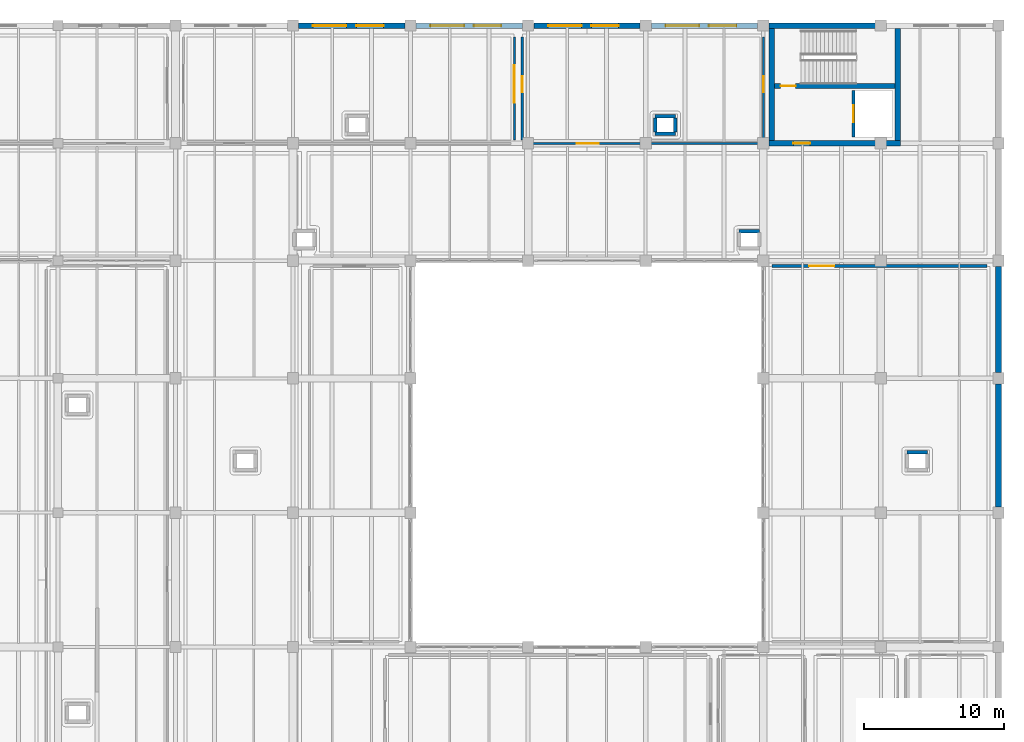
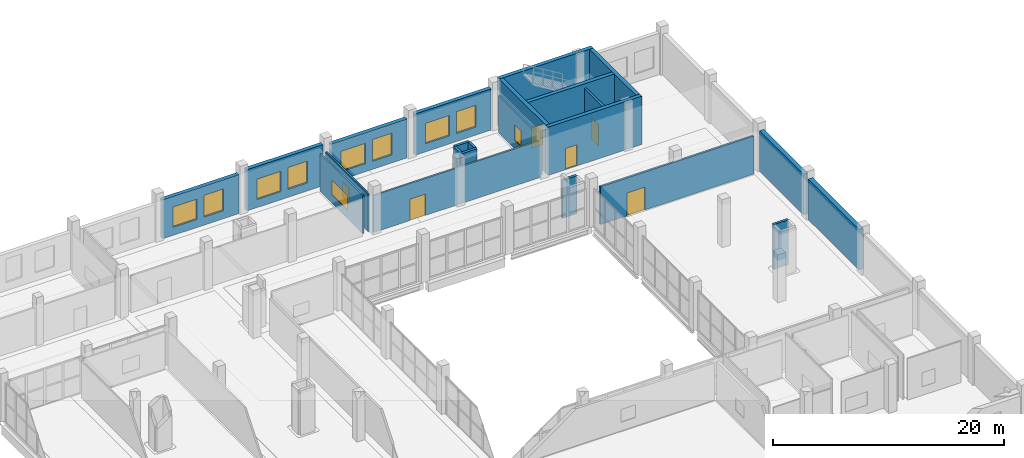
# One storey, part 62 of 73: 23 walls, 11 windows, 5 doors, 16 openings.
"""IFC4 building model written with IfcOpenShell, lengths in metres."""

from ifc_helpers import new_model, si_unit, direction, frame, frame_2d, origin, place, context, subcontext, project, spatial, rectangle, extrude, material, layer, layer_set, type_object, element, fill, save


model = new_model("IFC4")

# Units and contexts
model_context = context("Model", 3, precision=1e-05, world=origin(), true_north=direction((0.0, 1.0)))
body_context = subcontext(model_context, "Body", "Model", "MODEL_VIEW")
ifc_project = project(units=[si_unit("LENGTHUNIT", "METRE"), si_unit("AREAUNIT", "SQUARE_METRE"), si_unit("VOLUMEUNIT", "CUBIC_METRE"), si_unit("PLANEANGLEUNIT", "RADIAN"), si_unit("MASSUNIT", "GRAM", prefix="KILO")], contexts=[model_context])

# Site, building, storey
site_placement = place(None, origin())
site = spatial("IfcSite", under=ifc_project, at=site_placement, CompositionType="ELEMENT")
building_placement = place(site_placement, origin())
building = spatial("IfcBuilding", under=site, at=building_placement, Name="Zulmaris Art Gallery", CompositionType="ELEMENT")
storey_placement = place(building_placement, frame((0.0, 0.0, 10.5)))
storey = spatial("IfcBuildingStorey", under=building, at=storey_placement, Name="L02", CompositionType="ELEMENT", Elevation=10.5)

# Walls
ifc_material_1 = material(Name="Omani Cream Limestone Ashlar Masonry", Category="masonry")
ifc_layer_1 = layer(ifc_material_1, 0.43994140625)
ifc_layer_set_1 = layer_set([ifc_layer_1], Name="Omani Cream Limestone Ashlar Masonry")
wall_type_1 = type_object("IfcWallType", Name="ENV-WALL-EW01", PredefinedType="SOLIDWALL", material=ifc_layer_set_1)
wall_1_placement = place(storey_placement, frame((200.39990234375, 41.201904296875, 0.0), z_axis=(0.0, 0.0, 1.0), x_axis=(0.0, 1.0, 0.0)))
element("IfcWall", 1, at=wall_1_placement, inside=storey, type_object=wall_type_1, Name="L02 V5 East Infill Party Wall", PredefinedType="SOLIDWALL", context=body_context, shape_type="SweptSolid", body=[
    extrude(rectangle(XDim=8.796142578125, YDim=0.43994140625, at=frame_2d((4.39794921875, 0.0))), origin(), (0.0, 0.0, 1.0), 4.300048828125),
])
wall_2_placement = place(storey_placement, frame((200.39990234375, 50.802001953125, 0.0), z_axis=(0.0, 0.0, 1.0), x_axis=(0.0, 1.0, 0.0)))
element("IfcWall", 2, at=wall_2_placement, inside=storey, type_object=wall_type_1, Name="L02 V5 East Infill Party Wall", PredefinedType="SOLIDWALL", context=body_context, shape_type="SweptSolid", body=[
    extrude(rectangle(XDim=7.595947265625, YDim=0.43994140625, at=frame_2d((3.7978515625, 0.0))), origin(), (0.0, 0.0, 1.0), 4.300048828125),
])

# Wall, openings, windows
ifc_material_2 = material(Name="Omani Desert Rose Limestone Cladding Wall", Category="masonry")
ifc_layer_2 = layer(ifc_material_2, 0.389892578125)
ifc_layer_set_2 = layer_set([ifc_layer_2], Name="Omani Desert Rose Limestone Cladding Wall")
wall_type_2 = type_object("IfcWallType", Name="ENV-WALL-EW02", PredefinedType="SOLIDWALL", material=ifc_layer_set_2)
wall_3_placement = place(storey_placement, frame((150.402099609375, 75.60009765625, 0.0), z_axis=(0.0, 0.0, 1.0), x_axis=(1.0, 0.0, 0.0)))
wall_3 = element("IfcWall", 3, at=wall_3_placement, inside=storey, type_object=wall_type_2, Name="L02 V5 North Studio Daylight Facade Bay 2", PredefinedType="SOLIDWALL", context=body_context, shape_type="SweptSolid", body=[
    extrude(rectangle(XDim=7.595947265625, YDim=0.389892578125, at=frame_2d((3.7978515625, 0.0))), origin(), (0.0, 0.0, 1.0), 4.10009765625),
])
opening_1_placement = place(wall_3_placement, frame((1.01806640625, 0.0, 0.85009765625)))
opening_1 = element("IfcOpeningElement", 4, at=opening_1_placement, cuts=wall_3, Name="Opening W05", PredefinedType="OPENING", context=body_context, shape_type="SweptSolid", body=[
    extrude(rectangle(XDim=2.39990234375, YDim=2.14990234375, at=frame_2d((1.199951171875, 1.074951171875))), frame((0.0, 0.204833984375, 0.0), z_axis=(0.0, -1.0, 0.0), x_axis=(1.0, 0.0, 0.0)), (0.0, 0.0, 1.0), 0.409912109375),
])
opening_2_placement = place(wall_3_placement, frame((4.117919921875, 0.0, 0.85009765625)))
opening_2 = element("IfcOpeningElement", 5, at=opening_2_placement, cuts=wall_3, Name="Opening W08", PredefinedType="OPENING", context=body_context, shape_type="SweptSolid", body=[
    extrude(rectangle(XDim=1.949951171875, YDim=2.300048828125, at=frame_2d((0.97509765625, 1.14990234375))), frame((0.0, 0.204833984375, 0.0), z_axis=(0.0, -1.0, 0.0), x_axis=(1.0, 0.0, 0.0)), (0.0, 0.0, 1.0), 0.409912109375),
])
ifc_material_3 = material(Name="North-Facing Conservation Daylight Window", Category="glass")
window_type_1 = type_object("IfcWindowType", Name="WIN-W05", PartitioningType="SINGLE_PANEL", PredefinedType="WINDOW", material=ifc_material_3)
window_1_placement = place(opening_1_placement, origin())
window_1 = element("IfcWindow", 6, at=window_1_placement, inside=storey, type_object=window_type_1, Name="L02 exterior window W05", OverallHeight=2.14990234375, OverallWidth=2.39990234375, PartitioningType="SINGLE_PANEL", PredefinedType="WINDOW", context=body_context, shape_type="SweptSolid", body=[
    extrude(rectangle(XDim=2.39990234375, YDim=2.14990234375, at=frame_2d((1.199951171875, 1.074951171875))), frame((0.0, 0.030029296875, 0.0), z_axis=(0.0, -1.0, 0.0), x_axis=(1.0, 0.0, 0.0)), (0.0, 0.0, 1.0), 0.06005859375),
])
fill(opening_1, window_1)
ifc_material_4 = material(Name="Curatorial North Studio Window", Category="glass")
window_type_2 = type_object("IfcWindowType", Name="WIN-W08", PartitioningType="SINGLE_PANEL", PredefinedType="WINDOW", material=ifc_material_4)
window_2_placement = place(opening_2_placement, origin())
window_2 = element("IfcWindow", 7, at=window_2_placement, inside=storey, type_object=window_type_2, Name="L02 exterior window W08", OverallHeight=2.300048828125, OverallWidth=1.949951171875, PartitioningType="SINGLE_PANEL", PredefinedType="WINDOW", context=body_context, shape_type="SweptSolid", body=[
    extrude(rectangle(XDim=1.949951171875, YDim=2.300048828125, at=frame_2d((0.97509765625, 1.14990234375))), frame((0.0, 0.030029296875, 0.0), z_axis=(0.0, -1.0, 0.0), x_axis=(1.0, 0.0, 0.0)), (0.0, 0.0, 1.0), 0.06005859375),
])
fill(opening_2, window_2)

wall_4_placement = place(storey_placement, frame((158.802001953125, 75.60009765625, 0.0), z_axis=(0.0, 0.0, 1.0), x_axis=(1.0, 0.0, 0.0)))
wall_4 = element("IfcWall", 8, at=wall_4_placement, inside=storey, type_object=wall_type_2, Name="L02 V5 North Studio Daylight Facade Bay 3", PredefinedType="SOLIDWALL", context=body_context, shape_type="SweptSolid", body=[
    extrude(rectangle(XDim=7.595947265625, YDim=0.389892578125, at=frame_2d((3.7978515625, 0.0))), origin(), (0.0, 0.0, 1.0), 4.35009765625),
])
opening_3_placement = place(wall_4_placement, frame((1.01806640625, 0.0, 0.85009765625)))
opening_3 = element("IfcOpeningElement", 9, at=opening_3_placement, cuts=wall_4, Name="Opening W05", PredefinedType="OPENING", context=body_context, shape_type="SweptSolid", body=[
    extrude(rectangle(XDim=2.39990234375, YDim=2.14990234375, at=frame_2d((1.199951171875, 1.074951171875))), frame((0.0, 0.204833984375, 0.0), z_axis=(0.0, -1.0, 0.0), x_axis=(1.0, 0.0, 0.0)), (0.0, 0.0, 1.0), 0.409912109375),
])
opening_4_placement = place(wall_4_placement, frame((4.117919921875, 0.0, 0.85009765625)))
opening_4 = element("IfcOpeningElement", 10, at=opening_4_placement, cuts=wall_4, Name="Opening W08", PredefinedType="OPENING", context=body_context, shape_type="SweptSolid", body=[
    extrude(rectangle(XDim=1.949951171875, YDim=2.300048828125, at=frame_2d((0.97509765625, 1.14990234375))), frame((0.0, 0.204833984375, 0.0), z_axis=(0.0, -1.0, 0.0), x_axis=(1.0, 0.0, 0.0)), (0.0, 0.0, 1.0), 0.409912109375),
])
window_3_placement = place(opening_3_placement, origin())
window_3 = element("IfcWindow", 11, at=window_3_placement, inside=storey, type_object=window_type_1, Name="L02 exterior window W05", OverallHeight=2.14990234375, OverallWidth=2.39990234375, PartitioningType="SINGLE_PANEL", PredefinedType="WINDOW", context=body_context, shape_type="SweptSolid", body=[
    extrude(rectangle(XDim=2.39990234375, YDim=2.14990234375, at=frame_2d((1.199951171875, 1.074951171875))), frame((0.0, 0.030029296875, 0.0), z_axis=(0.0, -1.0, 0.0), x_axis=(1.0, 0.0, 0.0)), (0.0, 0.0, 1.0), 0.06005859375),
])
fill(opening_3, window_3)
window_4_placement = place(opening_4_placement, origin())
window_4 = element("IfcWindow", 12, at=window_4_placement, inside=storey, type_object=window_type_2, Name="L02 exterior window W08", OverallHeight=2.300048828125, OverallWidth=1.949951171875, PartitioningType="SINGLE_PANEL", PredefinedType="WINDOW", context=body_context, shape_type="SweptSolid", body=[
    extrude(rectangle(XDim=1.949951171875, YDim=2.300048828125, at=frame_2d((0.97509765625, 1.14990234375))), frame((0.0, 0.030029296875, 0.0), z_axis=(0.0, -1.0, 0.0), x_axis=(1.0, 0.0, 0.0)), (0.0, 0.0, 1.0), 0.06005859375),
])
fill(opening_4, window_4)

wall_5_placement = place(storey_placement, frame((167.201904296875, 75.60009765625, 0.0), z_axis=(0.0, 0.0, 1.0), x_axis=(1.0, 0.0, 0.0)))
wall_5 = element("IfcWall", 13, at=wall_5_placement, inside=storey, type_object=wall_type_2, Name="L02 V5 North Studio Daylight Facade Bay 4", PredefinedType="SOLIDWALL", context=body_context, shape_type="SweptSolid", body=[
    extrude(rectangle(XDim=7.59619140625, YDim=0.389892578125, at=frame_2d((3.798095703125, 0.0))), origin(), (0.0, 0.0, 1.0), 4.10009765625),
])
opening_5_placement = place(wall_5_placement, frame((1.01806640625, 0.0, 0.85009765625)))
opening_5 = element("IfcOpeningElement", 14, at=opening_5_placement, cuts=wall_5, Name="Opening W05", PredefinedType="OPENING", context=body_context, shape_type="SweptSolid", body=[
    extrude(rectangle(XDim=2.39990234375, YDim=2.14990234375, at=frame_2d((1.199951171875, 1.074951171875))), frame((0.0, 0.204833984375, 0.0), z_axis=(0.0, -1.0, 0.0), x_axis=(1.0, 0.0, 0.0)), (0.0, 0.0, 1.0), 0.409912109375),
])
opening_6_placement = place(wall_5_placement, frame((4.117919921875, 0.0, 0.85009765625)))
opening_6 = element("IfcOpeningElement", 15, at=opening_6_placement, cuts=wall_5, Name="Opening W08", PredefinedType="OPENING", context=body_context, shape_type="SweptSolid", body=[
    extrude(rectangle(XDim=1.949951171875, YDim=2.300048828125, at=frame_2d((0.97509765625, 1.14990234375))), frame((0.0, 0.204833984375, 0.0), z_axis=(0.0, -1.0, 0.0), x_axis=(1.0, 0.0, 0.0)), (0.0, 0.0, 1.0), 0.409912109375),
])
window_5_placement = place(opening_5_placement, origin())
window_5 = element("IfcWindow", 16, at=window_5_placement, inside=storey, type_object=window_type_1, Name="L02 exterior window W05", OverallHeight=2.14990234375, OverallWidth=2.39990234375, PartitioningType="SINGLE_PANEL", PredefinedType="WINDOW", context=body_context, shape_type="SweptSolid", body=[
    extrude(rectangle(XDim=2.39990234375, YDim=2.14990234375, at=frame_2d((1.199951171875, 1.074951171875))), frame((0.0, 0.030029296875, 0.0), z_axis=(0.0, -1.0, 0.0), x_axis=(1.0, 0.0, 0.0)), (0.0, 0.0, 1.0), 0.06005859375),
])
fill(opening_5, window_5)
window_6_placement = place(opening_6_placement, origin())
window_6 = element("IfcWindow", 17, at=window_6_placement, inside=storey, type_object=window_type_2, Name="L02 exterior window W08", OverallHeight=2.300048828125, OverallWidth=1.949951171875, PartitioningType="SINGLE_PANEL", PredefinedType="WINDOW", context=body_context, shape_type="SweptSolid", body=[
    extrude(rectangle(XDim=1.949951171875, YDim=2.300048828125, at=frame_2d((0.97509765625, 1.14990234375))), frame((0.0, 0.030029296875, 0.0), z_axis=(0.0, -1.0, 0.0), x_axis=(1.0, 0.0, 0.0)), (0.0, 0.0, 1.0), 0.06005859375),
])
fill(opening_6, window_6)

wall_6_placement = place(storey_placement, frame((175.60205078125, 75.60009765625, 0.0), z_axis=(0.0, 0.0, 1.0), x_axis=(1.0, 0.0, 0.0)))
wall_6 = element("IfcWall", 18, at=wall_6_placement, inside=storey, type_object=wall_type_2, Name="L02 V5 North Studio Daylight Facade Bay 5", PredefinedType="SOLIDWALL", context=body_context, shape_type="SweptSolid", body=[
    extrude(rectangle(XDim=7.595947265625, YDim=0.389892578125, at=frame_2d((3.7978515625, 0.0))), origin(), (0.0, 0.0, 1.0), 4.35009765625),
])
opening_7_placement = place(wall_6_placement, frame((1.01806640625, 0.0, 0.85009765625)))
opening_7 = element("IfcOpeningElement", 19, at=opening_7_placement, cuts=wall_6, Name="Opening W05", PredefinedType="OPENING", context=body_context, shape_type="SweptSolid", body=[
    extrude(rectangle(XDim=2.39990234375, YDim=2.14990234375, at=frame_2d((1.199951171875, 1.074951171875))), frame((0.0, 0.204833984375, 0.0), z_axis=(0.0, -1.0, 0.0), x_axis=(1.0, 0.0, 0.0)), (0.0, 0.0, 1.0), 0.409912109375),
])
opening_8_placement = place(wall_6_placement, frame((4.117919921875, 0.0, 0.85009765625)))
opening_8 = element("IfcOpeningElement", 20, at=opening_8_placement, cuts=wall_6, Name="Opening W08", PredefinedType="OPENING", context=body_context, shape_type="SweptSolid", body=[
    extrude(rectangle(XDim=1.949951171875, YDim=2.300048828125, at=frame_2d((0.97509765625, 1.14990234375))), frame((0.0, 0.204833984375, 0.0), z_axis=(0.0, -1.0, 0.0), x_axis=(1.0, 0.0, 0.0)), (0.0, 0.0, 1.0), 0.409912109375),
])
window_7_placement = place(opening_7_placement, origin())
window_7 = element("IfcWindow", 21, at=window_7_placement, inside=storey, type_object=window_type_1, Name="L02 exterior window W05", OverallHeight=2.14990234375, OverallWidth=2.39990234375, PartitioningType="SINGLE_PANEL", PredefinedType="WINDOW", context=body_context, shape_type="SweptSolid", body=[
    extrude(rectangle(XDim=2.39990234375, YDim=2.14990234375, at=frame_2d((1.199951171875, 1.074951171875))), frame((0.0, 0.030029296875, 0.0), z_axis=(0.0, -1.0, 0.0), x_axis=(1.0, 0.0, 0.0)), (0.0, 0.0, 1.0), 0.06005859375),
])
fill(opening_7, window_7)
window_8_placement = place(opening_8_placement, origin())
window_8 = element("IfcWindow", 22, at=window_8_placement, inside=storey, type_object=window_type_2, Name="L02 exterior window W08", OverallHeight=2.300048828125, OverallWidth=1.949951171875, PartitioningType="SINGLE_PANEL", PredefinedType="WINDOW", context=body_context, shape_type="SweptSolid", body=[
    extrude(rectangle(XDim=1.949951171875, YDim=2.300048828125, at=frame_2d((0.97509765625, 1.14990234375))), frame((0.0, 0.030029296875, 0.0), z_axis=(0.0, -1.0, 0.0), x_axis=(1.0, 0.0, 0.0)), (0.0, 0.0, 1.0), 0.06005859375),
])
fill(opening_8, window_8)

# Wall, opening, window
ifc_material_5 = material(Name="Plywood-Backed Gallery Hanging Partition", Category="wood")
ifc_layer_3 = layer(ifc_material_5, 0.14501953125)
ifc_layer_set_3 = layer_set([ifc_layer_3], Name="Plywood-Backed Gallery Hanging Partition")
wall_type_3 = type_object("IfcWallType", Name="IWALL-PW04", PredefinedType="PARTITIONING", material=ifc_layer_set_3)
wall_7_placement = place(storey_placement, frame((165.820068359375, 67.429931640625, 0.0), z_axis=(0.0, 0.0, 1.0), x_axis=(0.0, 1.0, 0.0)))
wall_7 = element("IfcWall", 23, at=wall_7_placement, inside=storey, type_object=wall_type_3, Name="Painting Conservation Studio E partition", PredefinedType="PARTITIONING", context=body_context, shape_type="SweptSolid", body=[
    extrude(rectangle(XDim=7.340087890625, YDim=0.14501953125, at=frame_2d((3.669921875, 0.0))), origin(), (0.0, 0.0, 1.0), 4.0),
])
opening_9_placement = place(wall_7_placement, frame((2.64990234375, 0.0, 0.89990234375)))
opening_9 = element("IfcOpeningElement", 24, at=opening_9_placement, cuts=wall_7, Name="Opening IW07", PredefinedType="OPENING", context=body_context, shape_type="SweptSolid", body=[
    extrude(rectangle(XDim=2.679931640625, YDim=1.52001953125, at=frame_2d((1.33984375, 0.760009765625))), frame((0.0, 0.08251953125, 0.0), z_axis=(0.0, -1.0, 0.0), x_axis=(1.0, 0.0, 0.0)), (0.0, 0.0, 1.0), 0.1650390625),
])
ifc_material_6 = material(Name="Artists Salon Overlook Glazing", Category="glass")
window_type_3 = type_object("IfcWindowType", Name="IWIN-IW07", PartitioningType="SINGLE_PANEL", PredefinedType="WINDOW", material=ifc_material_6)
window_9_placement = place(opening_9_placement, origin())
window_9 = element("IfcWindow", 25, at=window_9_placement, inside=storey, type_object=window_type_3, Name="L02 interior observation window IW07", OverallHeight=1.52001953125, OverallWidth=2.679931640625, PartitioningType="SINGLE_PANEL", PredefinedType="WINDOW", context=body_context, shape_type="SweptSolid", body=[
    extrude(rectangle(XDim=2.679931640625, YDim=1.52001953125, at=frame_2d((1.33984375, 0.760009765625))), frame((0.0, 0.030029296875, 0.0), z_axis=(0.0, -1.0, 0.0), x_axis=(1.0, 0.0, 0.0)), (0.0, 0.0, 1.0), 0.06005859375),
])
fill(opening_9, window_9)

# Wall, opening, door
ifc_material_7 = material(Name="Timber-Backed Heavy Artwork Display Partition", Category="wood")
ifc_layer_4 = layer(ifc_material_7, 0.159912109375)
ifc_layer_set_4 = layer_set([ifc_layer_4], Name="Timber-Backed Heavy Artwork Display Partition")
wall_type_4 = type_object("IfcWallType", Name="IWALL-PW05", PredefinedType="PARTITIONING", material=ifc_layer_set_4)
wall_8_placement = place(storey_placement, frame((166.6298828125, 67.179931640625, 0.0), z_axis=(0.0, 0.0, 1.0), x_axis=(1.0, 0.0, 0.0)))
wall_8 = element("IfcWall", 26, at=wall_8_placement, inside=storey, type_object=wall_type_4, Name="Object & Stone Conservation Studio S partition", PredefinedType="PARTITIONING", context=body_context, shape_type="SweptSolid", body=[
    extrude(rectangle(XDim=16.740234375, YDim=0.159912109375, at=frame_2d((8.3701171875, 0.0))), origin(), (0.0, 0.0, 1.0), 3.89990234375),
])
opening_10_placement = place(wall_8_placement, frame((3.64990234375, 0.0, 0.0)))
opening_10 = element("IfcOpeningElement", 27, at=opening_10_placement, cuts=wall_8, Name="Opening D13", PredefinedType="OPENING", context=body_context, shape_type="SweptSolid", body=[
    extrude(rectangle(XDim=1.56005859375, YDim=2.260009765625, at=frame_2d((0.780029296875, 1.1298828125))), frame((0.0, 0.08984375, 0.0), z_axis=(0.0, -1.0, 0.0), x_axis=(1.0, 0.0, 0.0)), (0.0, 0.0, 1.0), 0.179931640625),
])
ifc_material_8 = material(Name="Corridor Cross-Compartment Double Door", Category="timber")
door_type_1 = type_object("IfcDoorType", Name="IDOOR-D13", OperationType="DOUBLE_SWING_LEFT", PredefinedType="DOOR", material=ifc_material_8)
door_1_placement = place(opening_10_placement, origin())
door_1 = element("IfcDoor", 28, at=door_1_placement, inside=storey, type_object=door_type_1, Name="Object & Stone Conservation Studio Door", OperationType="DOUBLE_SWING_LEFT", OverallHeight=2.260009765625, OverallWidth=1.56005859375, PredefinedType="DOOR", context=body_context, shape_type="SweptSolid", body=[
    extrude(rectangle(XDim=1.56005859375, YDim=2.260009765625, at=frame_2d((0.780029296875, 1.1298828125))), frame((0.0, 0.02490234375, 0.0), z_axis=(0.0, -1.0, 0.0), x_axis=(1.0, 0.0, 0.0)), (0.0, 0.0, 1.0), 0.050048828125),
])
fill(opening_10, door_1)

# Wall, opening, window
wall_9_placement = place(storey_placement, frame((166.3798828125, 67.429931640625, 0.0), z_axis=(0.0, 0.0, 1.0), x_axis=(0.0, 1.0, 0.0)))
wall_9 = element("IfcWall", 29, at=wall_9_placement, inside=storey, type_object=wall_type_4, Name="Object & Stone Conservation Studio W partition", PredefinedType="PARTITIONING", context=body_context, shape_type="SweptSolid", body=[
    extrude(rectangle(XDim=7.340087890625, YDim=0.159912109375, at=frame_2d((3.669921875, 0.0))), origin(), (0.0, 0.0, 1.0), 4.0),
])
opening_11_placement = place(wall_9_placement, frame((3.39990234375, 0.0, 0.89990234375)))
opening_11 = element("IfcOpeningElement", 30, at=opening_11_placement, cuts=wall_9, Name="Opening IW08", PredefinedType="OPENING", context=body_context, shape_type="SweptSolid", body=[
    extrude(rectangle(XDim=1.159912109375, YDim=1.6201171875, at=frame_2d((0.580078125, 0.81005859375))), frame((0.0, 0.08984375, 0.0), z_axis=(0.0, -1.0, 0.0), x_axis=(1.0, 0.0, 0.0)), (0.0, 0.0, 1.0), 0.179931640625),
])
ifc_material_9 = material(Name="Foyer Cloakroom Counter Glazing", Category="glass")
window_type_4 = type_object("IfcWindowType", Name="IWIN-IW08", PartitioningType="SINGLE_PANEL", PredefinedType="WINDOW", material=ifc_material_9)
window_10_placement = place(opening_11_placement, origin())
window_10 = element("IfcWindow", 31, at=window_10_placement, inside=storey, type_object=window_type_4, Name="L02 interior observation window IW08", OverallHeight=1.6201171875, OverallWidth=1.159912109375, PartitioningType="SINGLE_PANEL", PredefinedType="WINDOW", context=body_context, shape_type="SweptSolid", body=[
    extrude(rectangle(XDim=1.159912109375, YDim=1.6201171875, at=frame_2d((0.580078125, 0.81005859375))), frame((0.0, 0.030029296875, 0.0), z_axis=(0.0, -1.0, 0.0), x_axis=(1.0, 0.0, 0.0)), (0.0, 0.0, 1.0), 0.06005859375),
])
fill(opening_11, window_10)

wall_10_placement = place(storey_placement, frame((183.6201171875, 67.429931640625, 0.0), z_axis=(0.0, 0.0, 1.0), x_axis=(0.0, 1.0, 0.0)))
wall_10 = element("IfcWall", 32, at=wall_10_placement, inside=storey, type_object=wall_type_4, Name="Object & Stone Conservation Studio E partition", PredefinedType="PARTITIONING", context=body_context, shape_type="SweptSolid", body=[
    extrude(rectangle(XDim=7.340087890625, YDim=0.159912109375, at=frame_2d((3.669921875, 0.0))), origin(), (0.0, 0.0, 1.0), 3.89990234375),
])
opening_12_placement = place(wall_10_placement, frame((3.39990234375, 0.0, 0.89990234375)))
opening_12 = element("IfcOpeningElement", 33, at=opening_12_placement, cuts=wall_10, Name="Opening IW08", PredefinedType="OPENING", context=body_context, shape_type="SweptSolid", body=[
    extrude(rectangle(XDim=1.159912109375, YDim=1.6201171875, at=frame_2d((0.580078125, 0.81005859375))), frame((0.0, 0.08984375, 0.0), z_axis=(0.0, -1.0, 0.0), x_axis=(1.0, 0.0, 0.0)), (0.0, 0.0, 1.0), 0.179931640625),
])
window_11_placement = place(opening_12_placement, origin())
window_11 = element("IfcWindow", 34, at=window_11_placement, inside=storey, type_object=window_type_4, Name="L02 interior observation window IW08", OverallHeight=1.6201171875, OverallWidth=1.159912109375, PartitioningType="SINGLE_PANEL", PredefinedType="WINDOW", context=body_context, shape_type="SweptSolid", body=[
    extrude(rectangle(XDim=1.159912109375, YDim=1.6201171875, at=frame_2d((0.580078125, 0.81005859375))), frame((0.0, 0.030029296875, 0.0), z_axis=(0.0, -1.0, 0.0), x_axis=(1.0, 0.0, 0.0)), (0.0, 0.0, 1.0), 0.06005859375),
])
fill(opening_12, window_11)

# Wall, opening, door
ifc_material_10 = material(Name="Conservation Laboratory Partition", Category="masonry")
ifc_layer_5 = layer(ifc_material_10, 0.18994140625)
ifc_layer_set_5 = layer_set([ifc_layer_5], Name="Conservation Laboratory Partition")
wall_type_5 = type_object("IfcWallType", Name="IWALL-PW07", PredefinedType="PARTITIONING", material=ifc_layer_set_5)
wall_11_placement = place(storey_placement, frame((184.22998046875, 58.419921875, 0.0), z_axis=(0.0, 0.0, 1.0), x_axis=(1.0, 0.0, 0.0)))
wall_11 = element("IfcWall", 35, at=wall_11_placement, inside=storey, type_object=wall_type_5, Name="Preventive Conservation & Pest Lab N partition", PredefinedType="PARTITIONING", context=body_context, shape_type="SweptSolid", body=[
    extrude(rectangle(XDim=15.340087890625, YDim=0.18994140625, at=frame_2d((7.669921875, 0.0))), origin(), (0.0, 0.0, 1.0), 4.0),
])
opening_13_placement = place(wall_11_placement, frame((2.64990234375, 0.0, 0.0)))
opening_13 = element("IfcOpeningElement", 36, at=opening_13_placement, cuts=wall_11, Name="Opening D15", PredefinedType="OPENING", context=body_context, shape_type="SweptSolid", body=[
    extrude(rectangle(XDim=1.800048828125, YDim=2.419921875, at=frame_2d((0.89990234375, 1.2099609375))), frame((0.0, 0.10498046875, 0.0), z_axis=(0.0, -1.0, 0.0), x_axis=(1.0, 0.0, 0.0)), (0.0, 0.0, 1.0), 0.2099609375),
])
ifc_material_11 = material(Name="Auditorium Sound-Lock Double Door", Category="timber")
door_type_2 = type_object("IfcDoorType", Name="IDOOR-D15", OperationType="DOUBLE_SWING_LEFT", PredefinedType="DOOR", material=ifc_material_11)
door_2_placement = place(opening_13_placement, origin())
door_2 = element("IfcDoor", 37, at=door_2_placement, inside=storey, type_object=door_type_2, Name="Preventive Conservation & Pest Lab Door", OperationType="DOUBLE_SWING_LEFT", OverallHeight=2.419921875, OverallWidth=1.800048828125, PredefinedType="DOOR", context=body_context, shape_type="SweptSolid", body=[
    extrude(rectangle(XDim=1.800048828125, YDim=2.419921875, at=frame_2d((0.89990234375, 1.2099609375))), frame((0.0, 0.02490234375, 0.0), z_axis=(0.0, -1.0, 0.0), x_axis=(1.0, 0.0, 0.0)), (0.0, 0.0, 1.0), 0.050048828125),
])
fill(opening_13, door_2)

ifc_material_12 = material(Name="Core Lobby Fire-Resisting Masonry Wall", Category="masonry")
ifc_layer_6 = layer(ifc_material_12, 0.235107421875)
ifc_layer_set_6 = layer_set([ifc_layer_6], Name="Core Lobby Fire-Resisting Masonry Wall")
wall_type_6 = type_object("IfcWallType", Name="IWALL-PW10", PredefinedType="PARTITIONING", material=ifc_layer_set_6)
wall_12_placement = place(storey_placement, frame((190.050048828125, 67.64990234375, 0.0), z_axis=(0.0, 0.0, 1.0), x_axis=(0.0, 1.0, 0.0)))
wall_12 = element("IfcWall", 38, at=wall_12_placement, inside=storey, type_object=wall_type_6, Name="LF-F1 L02 lift shaft front wall", PredefinedType="PARTITIONING", context=body_context, shape_type="SweptSolid", body=[
    extrude(rectangle(XDim=3.330078125, YDim=0.235107421875, at=frame_2d((1.6650390625, 0.0))), origin(), (0.0, 0.0, 1.0), 4.719970703125),
])
opening_14_placement = place(wall_12_placement, frame((1.054931640625, 0.0, 0.0)))
opening_14 = element("IfcOpeningElement", 39, at=opening_14_placement, cuts=wall_12, Name="Opening LD02", PredefinedType="OPENING", context=body_context, shape_type="SweptSolid", body=[
    extrude(rectangle(XDim=1.219970703125, YDim=2.239990234375, at=frame_2d((0.60986328125, 1.1201171875))), frame((0.0, 0.12744140625, 0.0), z_axis=(0.0, -1.0, 0.0), x_axis=(1.0, 0.0, 0.0)), (0.0, 0.0, 1.0), 0.255126953125),
])
ifc_material_13 = material(Name="Firefighting Lift Sliding Landing Door", Category="steel")
door_type_3 = type_object("IfcDoorType", Name="IDOOR-LD02", OperationType="SLIDING_TO_RIGHT", PredefinedType="DOOR", material=ifc_material_13)
door_3_placement = place(opening_14_placement, origin())
door_3 = element("IfcDoor", 40, at=door_3_placement, inside=storey, type_object=door_type_3, Name="LF-F1 L02 Lift Landing Sliding Door", OperationType="SLIDING_TO_RIGHT", OverallHeight=2.239990234375, OverallWidth=1.219970703125, PredefinedType="DOOR", context=body_context, shape_type="SweptSolid", body=[
    extrude(rectangle(XDim=1.219970703125, YDim=2.239990234375, at=frame_2d((0.60986328125, 1.1201171875))), frame((0.0, 0.02490234375, 0.0), z_axis=(0.0, -1.0, 0.0), x_axis=(1.0, 0.0, 0.0)), (0.0, 0.0, 1.0), 0.050048828125),
])
fill(opening_14, door_3)

# Walls
ifc_material_14 = material(Name="MEP Riser & Smoke Shaft Enclosure Wall", Category="masonry")
ifc_layer_7 = layer(ifc_material_14, 0.2548828125)
ifc_layer_set_7 = layer_set([ifc_layer_7], Name="MEP Riser & Smoke Shaft Enclosure Wall")
wall_type_7 = type_object("IfcWallType", Name="IWALL-PW11", PredefinedType="PARTITIONING", material=ifc_layer_set_7)
wall_13_placement = place(storey_placement, frame((181.860107421875, 60.919921875, 0.0), z_axis=(0.0, 0.0, 1.0), x_axis=(1.0, 0.0, 0.0)))
element("IfcWall", 41, at=wall_13_placement, inside=storey, type_object=wall_type_7, Name="L02 MEP Riser 14 N wall", PredefinedType="PARTITIONING", context=body_context, shape_type="SweptSolid", body=[
    extrude(rectangle(XDim=1.47998046875, YDim=0.2548828125, at=frame_2d((0.739990234375, 0.0))), origin(), (0.0, 0.0, 1.0), 4.0),
])
for number, where, z_axis, x_axis, name in (
    (42, (175.860107421875, 69.1201171875, 0.0), (0.0, 0.0, 1.0), (1.0, 0.0, 0.0), "L02 MEP Riser 16 N wall"),
    (43, (175.860107421875, 67.8798828125, 0.0), (0.0, 0.0, 1.0), (1.0, 0.0, 0.0), "L02 MEP Riser 16 S wall"),
):
    element("IfcWall", number, at=place(storey_placement, frame(where, z_axis=z_axis, x_axis=x_axis)), inside=storey, type_object=wall_type_7, Name=name, PredefinedType="PARTITIONING", context=body_context, shape_type="SweptSolid", body=[
        extrude(rectangle(XDim=1.47998046875, YDim=0.2548828125, at=frame_2d((0.739990234375, 0.0))), origin(), (0.0, 0.0, 1.0), 4.719970703125),
    ])
for number, where, z_axis, x_axis, name in (
    (44, (175.8798828125, 68.0, 0.0), (0.0, 0.0, 1.0), (0.0, 1.0, 0.0), "L02 MEP Riser 16 W wall"),
    (45, (177.320068359375, 68.0, 0.0), (0.0, 0.0, 1.0), (0.0, 1.0, 0.0), "L02 MEP Riser 16 E wall"),
):
    element("IfcWall", number, at=place(storey_placement, frame(where, z_axis=z_axis, x_axis=x_axis)), inside=storey, type_object=wall_type_7, Name=name, PredefinedType="PARTITIONING", context=body_context, shape_type="SweptSolid", body=[
        extrude(rectangle(XDim=1.0, YDim=0.2548828125, at=frame_2d((0.5, 0.0))), origin(), (0.0, 0.0, 1.0), 4.719970703125),
    ])
wall_14_placement = place(storey_placement, frame((193.860107421875, 45.1201171875, 0.0), z_axis=(0.0, 0.0, 1.0), x_axis=(1.0, 0.0, 0.0)))
element("IfcWall", 46, at=wall_14_placement, inside=storey, type_object=wall_type_7, Name="L02 MEP Riser 18 N wall", PredefinedType="PARTITIONING", context=body_context, shape_type="SweptSolid", body=[
    extrude(rectangle(XDim=1.47998046875, YDim=0.2548828125, at=frame_2d((0.739990234375, 0.0))), origin(), (0.0, 0.0, 1.0), 4.719970703125),
])

# Wall, opening, door
ifc_material_15 = material(Name="Concrete C50/60", Category="concrete")
ifc_layer_8 = layer(ifc_material_15, 0.3798828125)
ifc_layer_set_8 = layer_set([ifc_layer_8], Name="Concrete C50/60")
wall_type_8 = type_object("IfcWallType", Name="STR-WALL-SW02", PredefinedType="SHEAR", material=ifc_layer_set_8)
wall_15_placement = place(storey_placement, frame((184.010009765625, 67.199951171875, 0.0), z_axis=(0.0, 0.0, 1.0), x_axis=(1.0, 0.0, 0.0)))
wall_15 = element("IfcWall", 47, at=wall_15_placement, inside=storey, type_object=wall_type_8, Name="Core C4 L02 S shear wall", PredefinedType="SHEAR", context=body_context, shape_type="SweptSolid", body=[
    extrude(rectangle(XDim=9.3798828125, YDim=0.3798828125, at=frame_2d((4.68994140625, 0.0))), origin(), (0.0, 0.0, 1.0), 5.10009765625),
])
opening_15_placement = place(wall_15_placement, frame((1.75, 0.0, 0.0)))
opening_15 = element("IfcOpeningElement", 48, at=opening_15_placement, cuts=wall_15, Name="Opening D08", PredefinedType="OPENING", context=body_context, shape_type="SweptSolid", body=[
    extrude(rectangle(XDim=1.179931640625, YDim=2.239990234375, at=frame_2d((0.58984375, 1.1201171875))), frame((0.0, 0.199951171875, 0.0), z_axis=(0.0, -1.0, 0.0), x_axis=(1.0, 0.0, 0.0)), (0.0, 0.0, 1.0), 0.39990234375),
])
ifc_material_16 = material(Name="Firefighting Lobby Compartment Door", Category="steel")
door_type_4 = type_object("IfcDoorType", Name="IDOOR-D08", OperationType="NOTDEFINED", PredefinedType="DOOR", material=ifc_material_16)
door_4_placement = place(opening_15_placement, origin())
door_4 = element("IfcDoor", 49, at=door_4_placement, inside=storey, type_object=door_type_4, Name="Core C4 L02 Lobby Compartment Door", OperationType="SINGLE_SWING_RIGHT", OverallHeight=2.239990234375, OverallWidth=1.179931640625, PredefinedType="DOOR", context=body_context, shape_type="SweptSolid", body=[
    extrude(rectangle(XDim=1.179931640625, YDim=2.239990234375, at=frame_2d((0.58984375, 1.1201171875))), frame((0.0, 0.02490234375, 0.0), z_axis=(0.0, -1.0, 0.0), x_axis=(1.0, 0.0, 0.0)), (0.0, 0.0, 1.0), 0.050048828125),
])
fill(opening_15, door_4)

# Walls
wall_16_placement = place(storey_placement, frame((184.010009765625, 75.60009765625, 0.0), z_axis=(0.0, 0.0, 1.0), x_axis=(1.0, 0.0, 0.0)))
element("IfcWall", 50, at=wall_16_placement, inside=storey, type_object=wall_type_8, Name="Core C4 L02 N shear wall", PredefinedType="SHEAR", context=body_context, shape_type="SweptSolid", body=[
    extrude(rectangle(XDim=9.3798828125, YDim=0.3798828125, at=frame_2d((4.68994140625, 0.0))), origin(), (0.0, 0.0, 1.0), 5.10009765625),
])
for number, where, z_axis, x_axis, name in (
    (51, (184.199951171875, 67.389892578125, 0.0), (0.0, 0.0, 1.0), (0.0, 1.0, 0.0), "Core C4 L02 W shear wall"),
    (52, (193.199951171875, 67.389892578125, 0.0), (0.0, 0.0, 1.0), (0.0, 1.0, 0.0), "Core C4 L02 E shear wall"),
):
    element("IfcWall", number, at=place(storey_placement, frame(where, z_axis=z_axis, x_axis=x_axis)), inside=storey, type_object=wall_type_8, Name=name, PredefinedType="SHEAR", context=body_context, shape_type="SweptSolid", body=[
        extrude(rectangle(XDim=8.02001953125, YDim=0.3798828125, at=frame_2d((4.010009765625, 0.0))), origin(), (0.0, 0.0, 1.0), 5.10009765625),
    ])

# Wall, opening, door
wall_17_placement = place(storey_placement, frame((184.389892578125, 71.2900390625, 0.0), z_axis=(0.0, 0.0, 1.0), x_axis=(1.0, 0.0, 0.0)))
wall_17 = element("IfcWall", 53, at=wall_17_placement, inside=storey, type_object=wall_type_8, Name="Core C4 L02 DIV shear wall", PredefinedType="SHEAR", context=body_context, shape_type="SweptSolid", body=[
    extrude(rectangle(XDim=8.6201171875, YDim=0.3798828125, at=frame_2d((4.31005859375, 0.0))), origin(), (0.0, 0.0, 1.0), 5.10009765625),
])
opening_16_placement = place(wall_17_placement, frame((0.449951171875, 0.0, 0.0)))
opening_16 = element("IfcOpeningElement", 54, at=opening_16_placement, cuts=wall_17, Name="Opening D07", PredefinedType="OPENING", context=body_context, shape_type="SweptSolid", body=[
    extrude(rectangle(XDim=1.080078125, YDim=2.179931640625, at=frame_2d((0.5400390625, 1.08984375))), frame((0.0, 0.199951171875, 0.0), z_axis=(0.0, -1.0, 0.0), x_axis=(1.0, 0.0, 0.0)), (0.0, 0.0, 1.0), 0.39990234375),
])
ifc_material_17 = material(Name="Stairwell Fire Escape Door", Category="steel")
door_type_5 = type_object("IfcDoorType", Name="IDOOR-D07", OperationType="NOTDEFINED", PredefinedType="DOOR", material=ifc_material_17)
door_5_placement = place(opening_16_placement, origin())
door_5 = element("IfcDoor", 55, at=door_5_placement, inside=storey, type_object=door_type_5, Name="Core C4 L02 Stair ST4 Fire Door", OperationType="SINGLE_SWING_LEFT", OverallHeight=2.179931640625, OverallWidth=1.080078125, PredefinedType="DOOR", context=body_context, shape_type="SweptSolid", body=[
    extrude(rectangle(XDim=1.080078125, YDim=2.179931640625, at=frame_2d((0.5400390625, 1.08984375))), frame((0.0, 0.02490234375, 0.0), z_axis=(0.0, -1.0, 0.0), x_axis=(1.0, 0.0, 0.0)), (0.0, 0.0, 1.0), 0.050048828125),
])
fill(opening_16, door_5)

save(model, "model.ifc")
